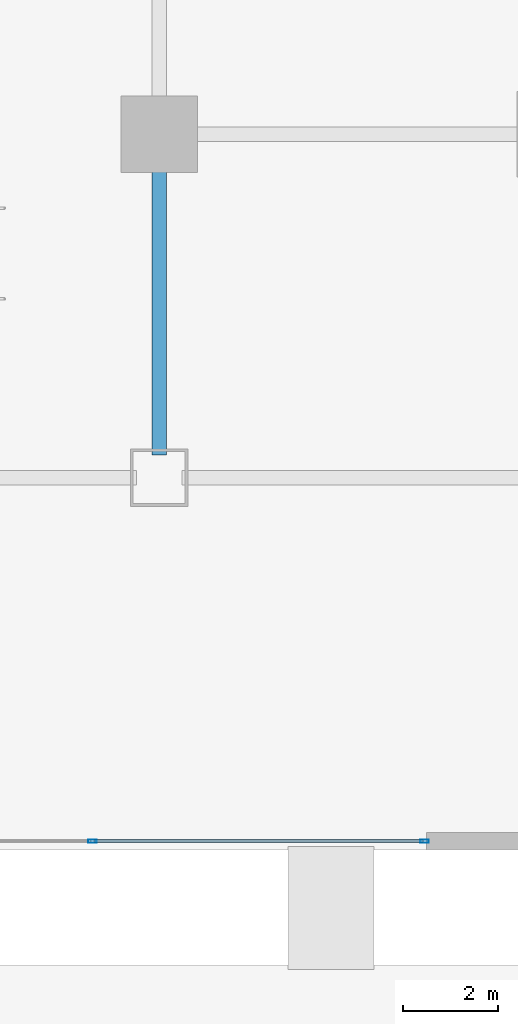
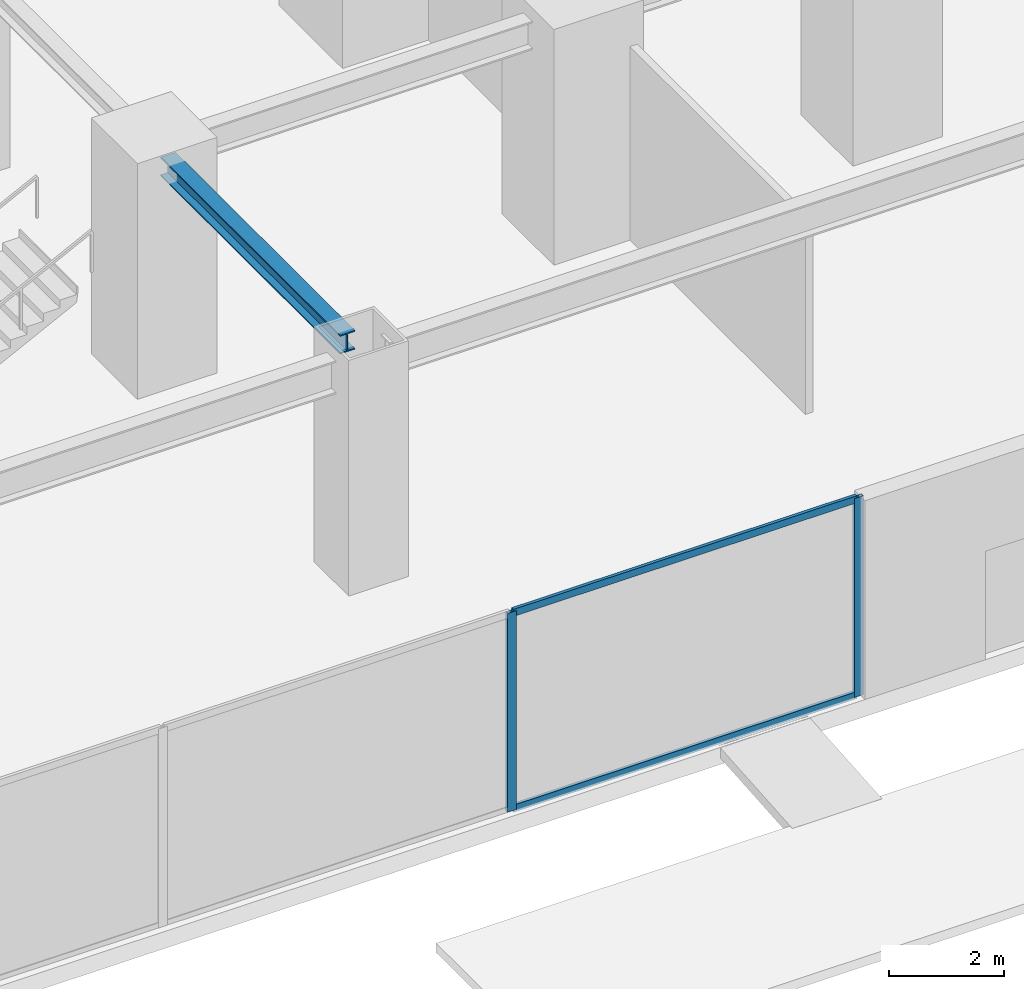
# One storey, part 6 of 18: 4 members, 1 beam, 1 element without a shape of its own.
"""IFC4 building model written with IfcOpenShell, lengths in metres."""

from ifc_helpers import new_model, si_unit, direction, frame, origin, origin_2d, place, context, subcontext, project, spatial, hollow_rectangle, i_section, extrude, source, transform, mapped, material, layer, layer_set, material_profile, profile_set, type_object, element, aggregate, save


model = new_model("IFC4")

# Units and contexts
model_context = context("Model", 3, precision=1e-05, world=origin(), true_north=direction((0.0, 1.0)))
body_context = subcontext(model_context, "Body", "Model", "MODEL_VIEW")
ifc_project = project(units=[si_unit("LENGTHUNIT", "METRE"), si_unit("AREAUNIT", "SQUARE_METRE"), si_unit("VOLUMEUNIT", "CUBIC_METRE"), si_unit("PLANEANGLEUNIT", "RADIAN"), si_unit("MASSUNIT", "GRAM", prefix="KILO")], contexts=[model_context])

# Site, building, storey
site_placement = place(None, origin())
site = spatial("IfcSite", under=ifc_project, at=site_placement, CompositionType="ELEMENT")
building_placement = place(site_placement, origin())
building = spatial("IfcBuilding", under=site, at=building_placement, Name="Sumidabori Civic Tower", CompositionType="ELEMENT")
storey_placement = place(building_placement, origin())
storey = spatial("IfcBuildingStorey", under=building, at=storey_placement, Name="L00", CompositionType="ELEMENT", Elevation=0.0)

# Beam
ifc_material_1 = material(Name="Steel SN490", Category="steel")
ifc_material_profile_1 = material_profile(ifc_material_1, i_section(OverallWidth=0.300048828125, OverallDepth=0.39990234375, WebThickness=0.013427734375, FlangeThickness=0.02392578125, at=origin_2d()), Name="HE 400 B")
ifc_profile_set_1 = profile_set([ifc_material_profile_1], Name="Steel SN490")
beam_type = type_object("IfcBeamType", Name="BM-GIRD-400", PredefinedType="BEAM", material=ifc_profile_set_1)
shared_shape_1 = source(origin(), body_context, "Body", "SweptSolid", [
    extrude(i_section(OverallWidth=0.300048828125, OverallDepth=0.39990234375, WebThickness=0.013427734375, FlangeThickness=0.02392578125, at=origin_2d()), origin(), (0.0, 0.0, 1.0), 6.239990234375),
])
beam_placement = place(storey_placement, frame((8.39990234375, -24.719970703125, 4.52001953125), z_axis=(0.0, 1.0, 0.0), x_axis=(-1.0, 0.0, 0.0)))
element("IfcBeam", 1, at=beam_placement, inside=storey, type_object=beam_type, Name="Primary Girder L00 GY-35", PredefinedType="BEAM", context=body_context, shape_type="MappedRepresentation", body=[
    mapped(shared_shape_1, transform((0.0, 0.0, 0.0), x_axis=(1.0, 0.0, 0.0), y_axis=(0.0, 1.0, 0.0), z_axis=(0.0, 0.0, 1.0), scale=1.0)),
])

# Curtain wall, members
ifc_material_2 = material(Name="Anodised Bronze Aluminium AW-6063-T6", Category="aluminium")
ifc_layer = layer(ifc_material_2, 0.179931640625, Name="Anodised Bronze Aluminium AW-6063-T6")
ifc_layer_set = layer_set([ifc_layer], Name="Anodised Bronze Aluminium AW-6063-T6")
curtain_wall_type = type_object("IfcCurtainWallType", Name="CW-SYS-1", PredefinedType="NOTDEFINED", material=ifc_layer_set)
curtain_wall_placement = place(storey_placement, origin())
curtain_wall = element("IfcCurtainWall", 2, at=curtain_wall_placement, inside=storey, type_object=curtain_wall_type, Name="Curtain Wall CW:L00:SOUTH", PredefinedType="NOTDEFINED")
ifc_material_profile_2 = material_profile(ifc_material_2, hollow_rectangle(XDim=0.070068359375, YDim=0.179931640625, WallThickness=0.006103515625, at=origin_2d()), Name="ALU MULLION 180x70")
ifc_profile_set_2 = profile_set([ifc_material_profile_2], Name="Anodised Bronze Aluminium AW-6063-T6")
member_type_1 = type_object("IfcMemberType", Name="CW-MUL-180", PredefinedType="MULLION", material=ifc_profile_set_2)
shared_shape_2 = source(origin(), body_context, "Body", "SweptSolid", [
    extrude(hollow_rectangle(XDim=0.070068359375, YDim=0.179931640625, WallThickness=0.006103515625, at=origin_2d()), origin(), (0.0, 0.0, 1.0), 4.219970703125),
])
member_1_placement = place(storey_placement, frame((13.965087890625, -32.820068359375, 0.0), z_axis=(0.0, 0.0, 1.0), x_axis=(0.0, -1.0, 0.0)))
member_1 = element("IfcMember", 3, at=member_1_placement, type_object=member_type_1, Name="CW-1 mullion 1", PredefinedType="MULLION", context=body_context, shape_type="MappedRepresentation", body=[
    mapped(shared_shape_2, transform((0.0, 0.0, 0.0), x_axis=(1.0, 0.0, 0.0), y_axis=(0.0, 1.0, 0.0), z_axis=(0.0, 0.0, 1.0), scale=1.0)),
])
member_2_placement = place(storey_placement, frame((7.0, -32.820068359375, 0.0), z_axis=(0.0, 0.0, 1.0), x_axis=(0.0, -1.0, 0.0)))
member_2 = element("IfcMember", 4, at=member_2_placement, type_object=member_type_1, Name="CW-1 mullion 2", PredefinedType="MULLION", context=body_context, shape_type="MappedRepresentation", body=[
    mapped(shared_shape_2, transform((0.0, 0.0, 0.0), x_axis=(1.0, 0.0, 0.0), y_axis=(0.0, 1.0, 0.0), z_axis=(0.0, 0.0, 1.0), scale=1.0)),
])
ifc_material_profile_3 = material_profile(ifc_material_2, hollow_rectangle(XDim=0.06494140625, YDim=0.14990234375, WallThickness=0.0048828125, at=origin_2d()), Name="ALU TRANSOM 150x65")
ifc_profile_set_3 = profile_set([ifc_material_profile_3], Name="Anodised Bronze Aluminium AW-6063-T6")
member_type_2 = type_object("IfcMemberType", Name="CW-TRN-150", PredefinedType="USERDEFINED", material=ifc_profile_set_3)
shared_shape_3 = source(origin(), body_context, "Body", "SweptSolid", [
    extrude(hollow_rectangle(XDim=0.06494140625, YDim=0.14990234375, WallThickness=0.0048828125, at=origin_2d()), origin(), (0.0, 0.0, 1.0), 6.89501953125),
])
member_3_placement = place(storey_placement, frame((13.929931640625, -32.820068359375, 0.032470703125), z_axis=(-1.0, 0.0, 0.0), x_axis=(0.0, -1.0, 0.0)))
member_3 = element("IfcMember", 5, at=member_3_placement, type_object=member_type_2, Name="CW-1 transom 1.1", ObjectType="TRANSOM", PredefinedType="USERDEFINED", context=body_context, shape_type="MappedRepresentation", body=[
    mapped(shared_shape_3, transform((0.0, 0.0, 0.0), x_axis=(1.0, 0.0, 0.0), y_axis=(0.0, 1.0, 0.0), z_axis=(0.0, 0.0, 1.0), scale=1.0)),
])
member_4_placement = place(storey_placement, frame((13.929931640625, -32.820068359375, 4.1875), z_axis=(-1.0, 0.0, 0.0), x_axis=(0.0, -1.0, 0.0)))
member_4 = element("IfcMember", 6, at=member_4_placement, type_object=member_type_2, Name="CW-1 transom 1.2", ObjectType="TRANSOM", PredefinedType="USERDEFINED", context=body_context, shape_type="MappedRepresentation", body=[
    mapped(shared_shape_3, transform((0.0, 0.0, 0.0), x_axis=(1.0, 0.0, 0.0), y_axis=(0.0, 1.0, 0.0), z_axis=(0.0, 0.0, 1.0), scale=1.0)),
])
aggregate(curtain_wall, [member_1, member_2, member_3, member_4])

save(model, "model.ifc")
